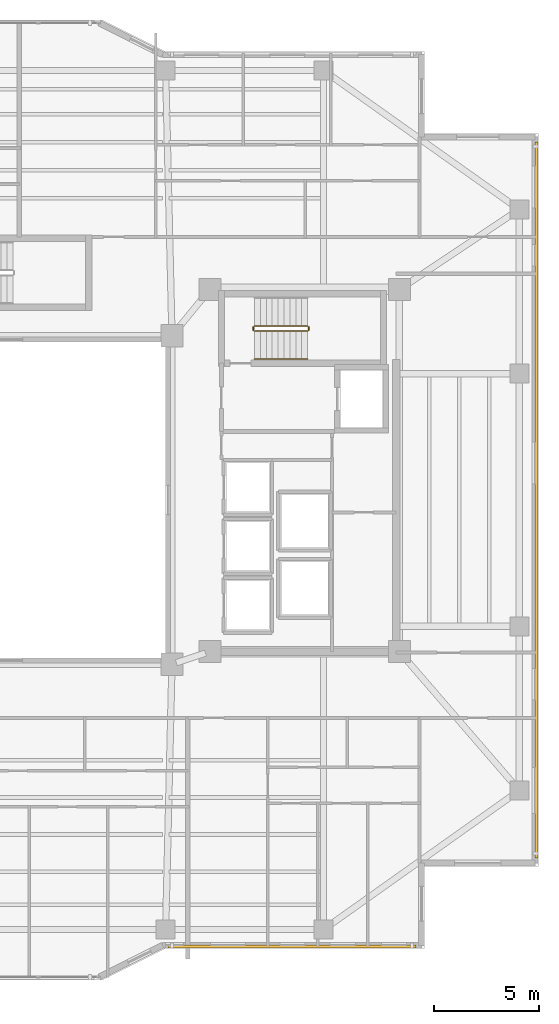
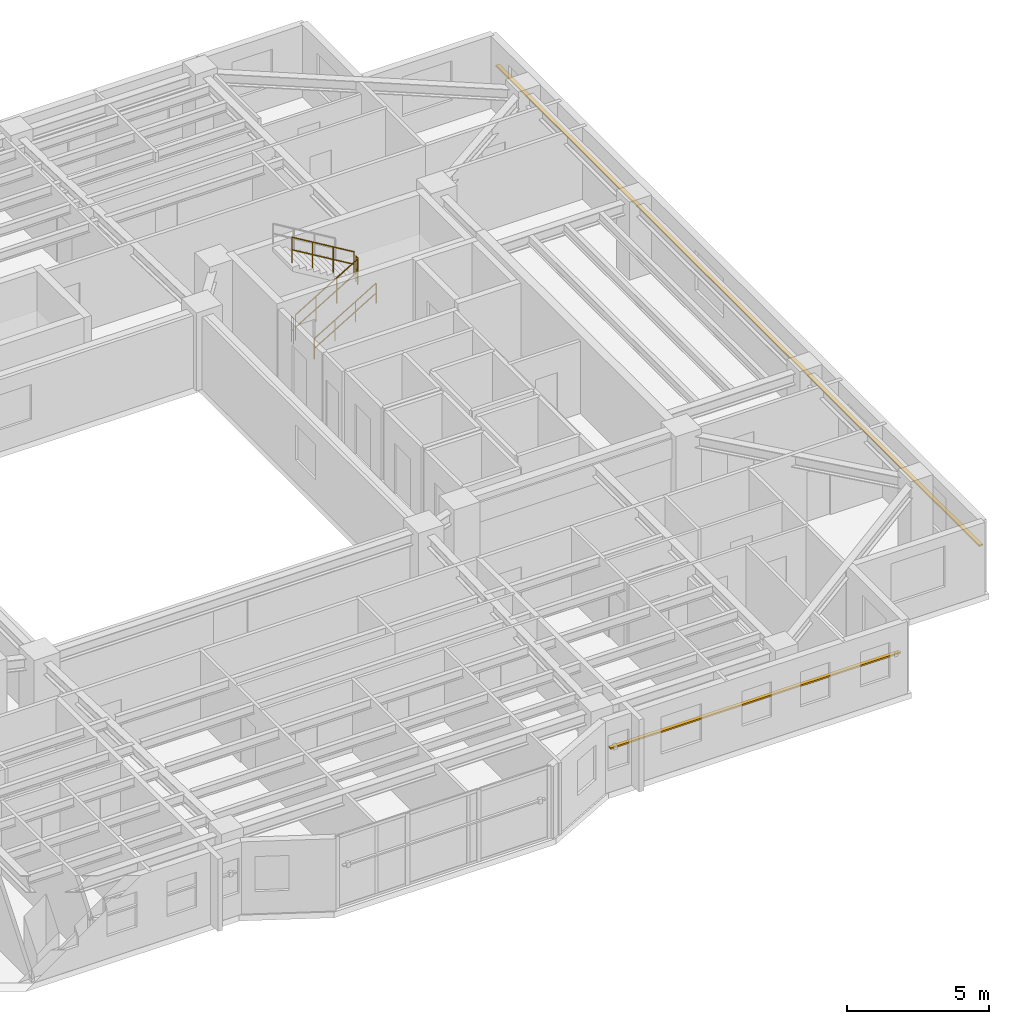
# One storey, part 15 of 16: 5 railings, 2 shading devices.
"""IFC4 building model written with IfcOpenShell, lengths in metres."""

from ifc_helpers import new_model, si_unit, direction, frame, origin, origin_2d, place, context, subcontext, project, spatial, rectangle, circle, extrude, material, material_profile, profile_set, type_object, element, save


model = new_model("IFC4")

# Units and contexts
model_context = context("Model", 3, precision=1e-05, world=origin(), true_north=direction((0.0, 1.0)))
body_context = subcontext(model_context, "Body", "Model", "MODEL_VIEW")
ifc_project = project(units=[si_unit("LENGTHUNIT", "METRE"), si_unit("AREAUNIT", "SQUARE_METRE"), si_unit("VOLUMEUNIT", "CUBIC_METRE"), si_unit("PLANEANGLEUNIT", "RADIAN"), si_unit("MASSUNIT", "GRAM", prefix="KILO")], contexts=[model_context])

# Site, building, storey
site_placement = place(None, origin())
site = spatial("IfcSite", under=ifc_project, at=site_placement, CompositionType="ELEMENT")
building_placement = place(site_placement, origin())
building = spatial("IfcBuilding", under=site, at=building_placement, Name="Tarnavaz Court Tower", CompositionType="ELEMENT")
storey_placement = place(building_placement, frame((0.0, 0.0, 149.35009765625)))
storey = spatial("IfcBuildingStorey", under=building, at=storey_placement, Name="L40", CompositionType="ELEMENT", Elevation=149.35009765625)

# Railings
ifc_material_1 = material(Name="Brushed Stainless Steel", Category="steel")
railing_type_1 = type_object("IfcRailingType", Name="RL-HANDRAIL-900", PredefinedType="HANDRAIL", material=ifc_material_1)
railing_1_placement = place(storey_placement, frame((11.719970703125, 6.699951171875, 0.16748046875)))
element("IfcRailing", 1, at=railing_1_placement, inside=storey, type_object=railing_type_1, Name="L40 ST-E1 stair handrail 1", PredefinedType="HANDRAIL", context=body_context, shape_type="SweptSolid", body=[
    extrude(circle(Radius=0.02392578125, at=origin_2d()), frame((0.0, 0.0, 0.8759765625), z_axis=(0.858196387827, 0.0, 0.513321497621), x_axis=(0.0, 1.0, 0.0)), (0.0, 0.0, 1.0), 2.9365234375),
    extrude(circle(Radius=0.02392578125, at=origin_2d()), frame((0.0, 0.0, 0.449951171875), z_axis=(0.858196387827, 0.0, 0.513321497621), x_axis=(0.0, 1.0, 0.0)), (0.0, 0.0, 1.0), 2.9365234375),
    extrude(circle(Radius=0.02099609375, at=origin_2d()), origin(), (0.0, 0.0, 1.0), 0.851806640625),
    extrude(circle(Radius=0.02099609375, at=origin_2d()), frame((0.840087890625, 0.0, 0.50244140625)), (0.0, 0.0, 1.0), 0.851806640625),
    extrude(circle(Radius=0.02099609375, at=origin_2d()), frame((1.679931640625, 0.0, 1.0048828125)), (0.0, 0.0, 1.0), 0.851806640625),
    extrude(circle(Radius=0.02099609375, at=origin_2d()), frame((2.52001953125, 0.0, 1.50732421875)), (0.0, 0.0, 1.0), 0.851806640625),
])
ifc_material_2 = material(Name="Galvanized Painted Tubular Steel", Category="steel")
railing_type_2 = type_object("IfcRailingType", Name="RL-STGUARD-1120", PredefinedType="GUARDRAIL", material=ifc_material_2)
railing_2_placement = place(storey_placement, frame((11.719970703125, 8.02001953125, 0.16748046875)))
element("IfcRailing", 2, at=railing_2_placement, inside=storey, type_object=railing_type_2, Name="L40 ST-E1 stair guard 1", PredefinedType="GUARDRAIL", context=body_context, shape_type="SweptSolid", body=[
    extrude(circle(Radius=0.02392578125, at=origin_2d()), frame((0.0, 0.0, 1.09619140625), z_axis=(0.858196387827, 0.0, 0.513321497621), x_axis=(0.0, 1.0, 0.0)), (0.0, 0.0, 1.0), 2.9365234375),
    extrude(circle(Radius=0.02392578125, at=origin_2d()), frame((0.0, 0.0, 0.56005859375), z_axis=(0.858196387827, 0.0, 0.513321497621), x_axis=(0.0, 1.0, 0.0)), (0.0, 0.0, 1.0), 2.9365234375),
    extrude(circle(Radius=0.02099609375, at=origin_2d()), origin(), (0.0, 0.0, 1.0), 1.072021484375),
    extrude(circle(Radius=0.02099609375, at=origin_2d()), frame((0.840087890625, 0.0, 0.50244140625)), (0.0, 0.0, 1.0), 1.072021484375),
    extrude(circle(Radius=0.02099609375, at=origin_2d()), frame((1.679931640625, 0.0, 1.0048828125)), (0.0, 0.0, 1.0), 1.072021484375),
    extrude(circle(Radius=0.02099609375, at=origin_2d()), frame((2.52001953125, 0.0, 1.50732421875)), (0.0, 0.0, 1.0), 1.072021484375),
])
railing_3_placement = place(storey_placement, frame((14.2900390625, 8.070068359375, 1.6748046875)))
element("IfcRailing", 3, at=railing_3_placement, inside=storey, type_object=railing_type_2, Name="L40 ST-E1 stair guard 2", PredefinedType="GUARDRAIL", context=body_context, shape_type="SweptSolid", body=[
    extrude(circle(Radius=0.02392578125, at=origin_2d()), frame((0.0, 0.0, 1.09619140625), z_axis=(0.0, 1.0, 0.0), x_axis=(-1.0, 0.0, 0.0)), (0.0, 0.0, 1.0), 0.14990234375),
    extrude(circle(Radius=0.02392578125, at=origin_2d()), frame((0.0, 0.0, 0.56005859375), z_axis=(0.0, 1.0, 0.0), x_axis=(-1.0, 0.0, 0.0)), (0.0, 0.0, 1.0), 0.14990234375),
    extrude(circle(Radius=0.02099609375, at=origin_2d()), origin(), (0.0, 0.0, 1.0), 1.072021484375),
    extrude(circle(Radius=0.02099609375, at=origin_2d()), frame((0.0, 0.14990234375, 0.0)), (0.0, 0.0, 1.0), 1.072021484375),
])
railing_4_placement = place(storey_placement, frame((14.239990234375, 8.27001953125, 1.84228515625)))
element("IfcRailing", 4, at=railing_4_placement, inside=storey, type_object=railing_type_2, Name="L40 ST-E1 stair guard 3", PredefinedType="GUARDRAIL", context=body_context, shape_type="SweptSolid", body=[
    extrude(circle(Radius=0.02392578125, at=origin_2d()), frame((0.0, 0.0, 1.09619140625), z_axis=(-0.858159760407, 0.0, 0.513382728203), x_axis=(0.0, -1.0, 0.0)), (0.0, 0.0, 1.0), 2.9365234375),
    extrude(circle(Radius=0.02392578125, at=origin_2d()), frame((0.0, 0.0, 0.56005859375), z_axis=(-0.858159760407, 0.0, 0.513382728203), x_axis=(0.0, -1.0, 0.0)), (0.0, 0.0, 1.0), 2.9365234375),
    extrude(circle(Radius=0.02099609375, at=origin_2d()), origin(), (0.0, 0.0, 1.0), 1.072021484375),
    extrude(circle(Radius=0.02099609375, at=origin_2d()), frame((-0.840087890625, 0.0, 0.50244140625)), (0.0, 0.0, 1.0), 1.072021484375),
    extrude(circle(Radius=0.02099609375, at=origin_2d()), frame((-1.679931640625, 0.0, 1.005126953125)), (0.0, 0.0, 1.0), 1.072021484375),
    extrude(circle(Radius=0.02099609375, at=origin_2d()), frame((-2.52001953125, 0.0, 1.507568359375)), (0.0, 0.0, 1.0), 1.072021484375),
])
railing_5_placement = place(storey_placement, frame((11.669921875, 8.070068359375, 0.0)))
element("IfcRailing", 5, at=railing_5_placement, inside=storey, type_object=railing_type_2, Name="L40 ST-E1 stair guard 4", PredefinedType="GUARDRAIL", context=body_context, shape_type="SweptSolid", body=[
    extrude(circle(Radius=0.02392578125, at=origin_2d()), frame((0.0, 0.0, 1.09619140625), z_axis=(0.0, 1.0, 0.0), x_axis=(-1.0, 0.0, 0.0)), (0.0, 0.0, 1.0), 0.14990234375),
    extrude(circle(Radius=0.02392578125, at=origin_2d()), frame((0.0, 0.0, 0.56005859375), z_axis=(0.0, 1.0, 0.0), x_axis=(-1.0, 0.0, 0.0)), (0.0, 0.0, 1.0), 0.14990234375),
    extrude(circle(Radius=0.02099609375, at=origin_2d()), origin(), (0.0, 0.0, 1.0), 1.072021484375),
    extrude(circle(Radius=0.02099609375, at=origin_2d()), frame((0.0, 0.14990234375, 0.0)), (0.0, 0.0, 1.0), 1.072021484375),
])

# Shading devices
ifc_material_3 = material(Name="Kiln-Fired Khorasan Terracotta Ceramic", Category="masonry")
ifc_material_profile = material_profile(ifc_material_3, rectangle(XDim=0.14990234375, YDim=0.06494140625, at=origin_2d()), Name="TC BAGUETTE 150X65")
ifc_profile_set = profile_set([ifc_material_profile], Name="Kiln-Fired Khorasan Terracotta Ceramic")
shading_device_type = type_object("IfcShadingDeviceType", Name="SD-BAG-150", PredefinedType="USERDEFINED", material=ifc_profile_set)
shading_device_1_placement = place(storey_placement, frame((25.110107421875, 17.0, 1.849853515625), z_axis=(0.0, -1.0, 0.0), x_axis=(1.0, 0.0, 0.0)))
element("IfcShadingDevice", 6, at=shading_device_1_placement, inside=storey, type_object=shading_device_type, Name="L40 Terracotta Baguette Screen FBG12", ObjectType="BAGUETTE", PredefinedType="USERDEFINED", context=body_context, shape_type="SweptSolid", body=[
    extrude(rectangle(XDim=0.14990234375, YDim=0.06494140625, at=origin_2d()), origin(), (0.0, 0.0, 1.0), 34.0),
])
shading_device_2_placement = place(storey_placement, frame((19.39990234375, -21.2099609375, 1.849853515625), z_axis=(-1.0, 0.0, 0.0), x_axis=(0.0, -1.0, 0.0)))
element("IfcShadingDevice", 7, at=shading_device_2_placement, inside=storey, type_object=shading_device_type, Name="L40 Terracotta Baguette Screen FBG15", ObjectType="BAGUETTE", PredefinedType="USERDEFINED", context=body_context, shape_type="SweptSolid", body=[
    extrude(rectangle(XDim=0.14990234375, YDim=0.06494140625, at=origin_2d()), origin(), (0.0, 0.0, 1.0), 11.7998046875),
])

save(model, "model.ifc")
